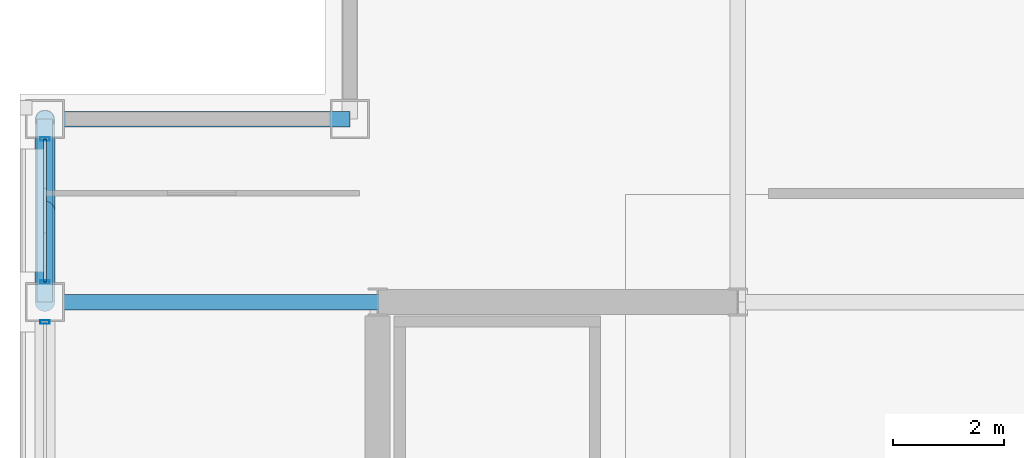
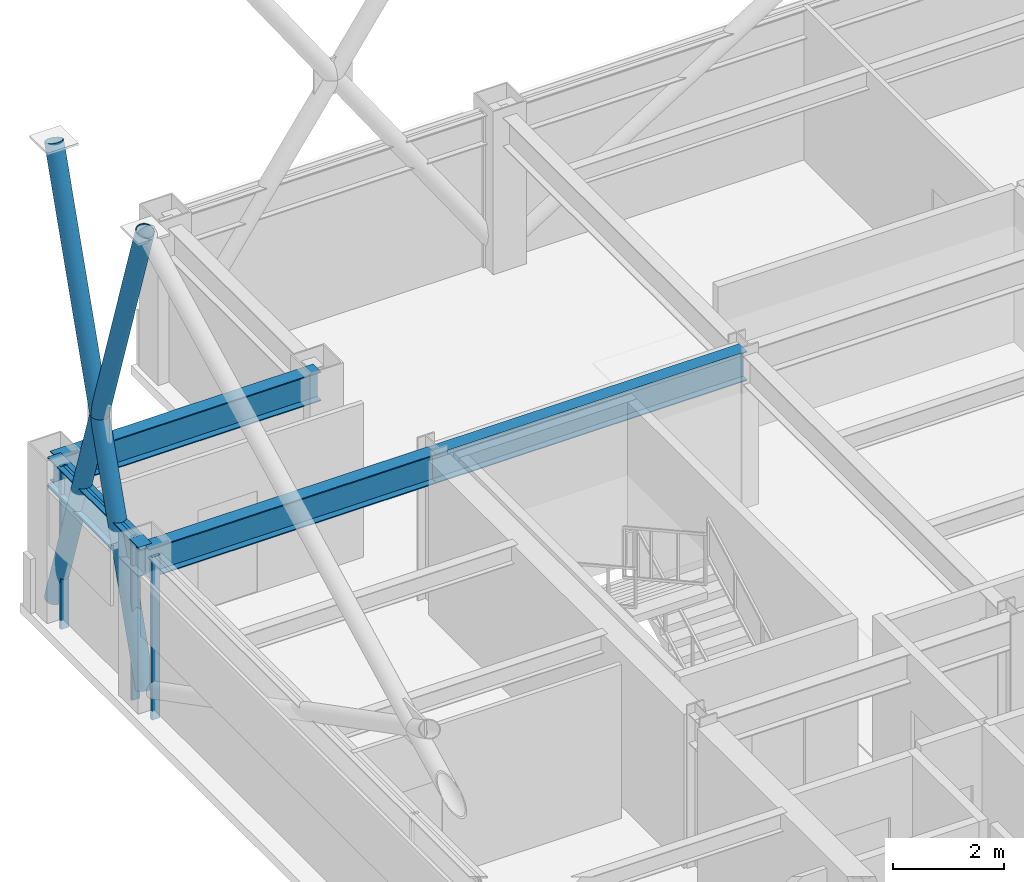
# One storey, part 12 of 33: 7 members, 4 beams, 2 elements without a shape of their own.
"""IFC4 building model written with IfcOpenShell, lengths in metres."""

from ifc_helpers import new_model, si_unit, direction, frame, origin, origin_2d, place, context, subcontext, project, spatial, hollow_rectangle, hollow_circle, i_section, extrude, material, layer, layer_set, material_profile, profile_set, type_object, element, aggregate, save


model = new_model("IFC4")

# Units and contexts
model_context = context("Model", 3, precision=1e-05, world=origin(), true_north=direction((0.0, 1.0)))
body_context = subcontext(model_context, "Body", "Model", "MODEL_VIEW")
ifc_project = project(units=[si_unit("LENGTHUNIT", "METRE"), si_unit("AREAUNIT", "SQUARE_METRE"), si_unit("VOLUMEUNIT", "CUBIC_METRE"), si_unit("PLANEANGLEUNIT", "RADIAN"), si_unit("MASSUNIT", "GRAM", prefix="KILO")], contexts=[model_context])

# Site, building, storey
site_placement = place(None, origin())
site = spatial("IfcSite", under=ifc_project, at=site_placement, CompositionType="ELEMENT")
building_placement = place(site_placement, origin())
building = spatial("IfcBuilding", under=site, at=building_placement, Name="Brelmoor Portico Tower", CompositionType="ELEMENT")
storey_placement = place(building_placement, frame((0.0, 0.0, 183.89990234375)))
storey = spatial("IfcBuildingStorey", under=building, at=storey_placement, Name="L48", CompositionType="ELEMENT", Elevation=183.89990234375)

# Beams
ifc_material_1 = material(Name="Steel Q355B", Category="steel")
ifc_material_profile_1 = material_profile(ifc_material_1, i_section(OverallWidth=0.280029296875, OverallDepth=0.64990234375, WebThickness=0.012939453125, FlangeThickness=0.02197265625, at=origin_2d()), Name="HN 650x280x13x22")
ifc_profile_set_1 = profile_set([ifc_material_profile_1], Name="Steel Q355B")
beam_type_1 = type_object("IfcBeamType", Name="BM-PG-650", PredefinedType="BEAM", material=ifc_profile_set_1)
beam_1_placement = place(storey_placement, frame((-20.550048828125, 9.75, 3.0751953125), z_axis=(1.0, 0.0, 0.0), x_axis=(0.0, 1.0, 0.0)))
element("IfcBeam", 1, at=beam_1_placement, inside=storey, type_object=beam_type_1, Name="L48 Primary Floor Girder PG-19", PredefinedType="BEAM", context=body_context, shape_type="SweptSolid", body=[
    extrude(i_section(OverallWidth=0.280029296875, OverallDepth=0.64990234375, WebThickness=0.012939453125, FlangeThickness=0.02197265625, at=origin_2d()), origin(), (0.0, 0.0, 1.0), 6.0),
])
beam_2_placement = place(storey_placement, frame((-14.550048828125, 9.75, 3.0751953125), z_axis=(1.0, 0.0, 0.0), x_axis=(0.0, 1.0, 0.0)))
element("IfcBeam", 2, at=beam_2_placement, inside=storey, type_object=beam_type_1, Name="L48 Primary Floor Girder PG-20", PredefinedType="BEAM", context=body_context, shape_type="SweptSolid", body=[
    extrude(i_section(OverallWidth=0.280029296875, OverallDepth=0.64990234375, WebThickness=0.012939453125, FlangeThickness=0.02197265625, at=origin_2d()), origin(), (0.0, 0.0, 1.0), 6.5),
])
ifc_material_profile_2 = material_profile(ifc_material_1, i_section(OverallWidth=0.280029296875, OverallDepth=0.64990234375, WebThickness=0.012939453125, FlangeThickness=0.02197265625, at=origin_2d()), Name="HN 650x280x13x22")
ifc_profile_set_2 = profile_set([ifc_material_profile_2], Name="Steel Q355B")
beam_type_2 = type_object("IfcBeamType", Name="BM-SP-650", PredefinedType="SPANDREL", material=ifc_profile_set_2)
beam_3_placement = place(storey_placement, frame((-20.550048828125, 13.050048828125, 3.0751953125), z_axis=(1.0, 0.0, 0.0), x_axis=(0.0, 1.0, 0.0)))
element("IfcBeam", 3, at=beam_3_placement, inside=storey, type_object=beam_type_2, Name="L48 Perimeter Spandrel Beam SP-06", PredefinedType="SPANDREL", context=body_context, shape_type="SweptSolid", body=[
    extrude(i_section(OverallWidth=0.280029296875, OverallDepth=0.64990234375, WebThickness=0.012939453125, FlangeThickness=0.02197265625, at=origin_2d()), origin(), (0.0, 0.0, 1.0), 5.5),
])
beam_4_placement = place(storey_placement, frame((-20.550048828125, 9.75, 3.0751953125), z_axis=(0.0, 1.0, 0.0), x_axis=(-1.0, 0.0, 0.0)))
element("IfcBeam", 4, at=beam_4_placement, inside=storey, type_object=beam_type_2, Name="L48 Perimeter Spandrel Beam SP-13", PredefinedType="SPANDREL", context=body_context, shape_type="SweptSolid", body=[
    extrude(i_section(OverallWidth=0.280029296875, OverallDepth=0.64990234375, WebThickness=0.012939453125, FlangeThickness=0.02197265625, at=origin_2d()), origin(), (0.0, 0.0, 1.0), 3.300048828125),
])

# Members
ifc_material_profile_3 = material_profile(ifc_material_1, hollow_circle(Radius=0.177978515625, WallThickness=0.01611328125, at=origin_2d()), Name="CHS 356x16")
ifc_profile_set_3 = profile_set([ifc_material_profile_3], Name="Steel Q355B")
member_type_1 = type_object("IfcMemberType", Name="MB-BELT-DIAG2", PredefinedType="BRACE", material=ifc_profile_set_3)
member_1_placement = place(storey_placement, frame((-20.550048828125, 9.75, 0.25), z_axis=(0.0, 0.310576778545, 0.950548296842), x_axis=(-1.0, 0.0, 0.0)))
element("IfcMember", 5, at=member_1_placement, inside=storey, type_object=member_type_1, Name="L48 Continuous Mega-X Brace 113A", PredefinedType="BRACE", context=body_context, shape_type="SweptSolid", body=[
    extrude(hollow_circle(Radius=0.177978515625, WallThickness=0.01611328125, at=origin_2d()), origin(), (0.0, 0.0, 1.0), 10.62548828125),
])
for number, where, z_axis, x_axis, name in (
    (6, (-20.550048828125, 13.050048828125, 0.25), (0.0, -0.310597538786, 0.950541513507), (1.0, 0.0, 0.0), "L48 Split Mega-X Brace 113B1"),
    (7, (-20.550048828125, 11.39990234375, 5.300048828125), (0.0, -0.310556017859, 0.95055507982), (1.0, 0.0, 0.0), "L48 Split Mega-X Brace 113B2"),
):
    element("IfcMember", number, at=place(storey_placement, frame(where, z_axis=z_axis, x_axis=x_axis)), inside=storey, type_object=member_type_1, Name=name, PredefinedType="BRACE", context=body_context, shape_type="SweptSolid", body=[
        extrude(hollow_circle(Radius=0.177978515625, WallThickness=0.01611328125, at=origin_2d()), origin(), (0.0, 0.0, 1.0), 5.312744140625),
    ])

# Curtain wall, member
ifc_material_2 = material(Name="Anodised Aluminium Alloy 6063-T6", Category="aluminium")
ifc_layer = layer(ifc_material_2, 0.179931640625)
ifc_layer_set = layer_set([ifc_layer], Name="Anodised Aluminium Alloy 6063-T6")
curtain_wall_type = type_object("IfcCurtainWallType", Name="CW-TOWER-Z3-XB", PredefinedType="NOTDEFINED", material=ifc_layer_set)
curtain_wall_1_placement = place(storey_placement, origin())
curtain_wall_1 = element("IfcCurtainWall", 8, at=curtain_wall_1_placement, inside=storey, type_object=curtain_wall_type, Name="L48 Curtain Wall CW-L48-03-2", PredefinedType="NOTDEFINED")
ifc_material_profile_4 = material_profile(ifc_material_2, hollow_rectangle(XDim=0.06494140625, YDim=0.1650390625, WallThickness=0.00390625, at=origin_2d()), Name="ALU MULLION 65x165")
ifc_profile_set_4 = profile_set([ifc_material_profile_4], Name="Anodised Aluminium Alloy 6063-T6")
member_type_2 = type_object("IfcMemberType", Name="MB-CW-MULL-165", PredefinedType="MULLION", material=ifc_profile_set_4)
member_2_placement = place(storey_placement, frame((-20.550048828125, 9.389892578125, -0.199951171875), z_axis=(0.0, 0.0, 1.0), x_axis=(0.0, 1.0, 0.0)))
member_2 = element("IfcMember", 9, at=member_2_placement, type_object=member_type_2, Name="CW-L48-03-2 Mullion 02", PredefinedType="MULLION", context=body_context, shape_type="SweptSolid", body=[
    extrude(hollow_rectangle(XDim=0.06494140625, YDim=0.1650390625, WallThickness=0.00390625, at=origin_2d()), origin(), (0.0, 0.0, 1.0), 3.60009765625),
])
aggregate(curtain_wall_1, [member_2])

# Curtain wall, members
curtain_wall_2_placement = place(storey_placement, origin())
curtain_wall_2 = element("IfcCurtainWall", 10, at=curtain_wall_2_placement, inside=storey, type_object=curtain_wall_type, Name="L48 Curtain Wall CW-L48-03-3", PredefinedType="NOTDEFINED")
member_3_placement = place(storey_placement, frame((-20.550048828125, 10.110107421875, -0.199951171875), z_axis=(0.0, 0.0, 1.0), x_axis=(0.0, 1.0, 0.0)))
member_3 = element("IfcMember", 11, at=member_3_placement, type_object=member_type_2, Name="CW-L48-03-3 Mullion 00", PredefinedType="MULLION", context=body_context, shape_type="SweptSolid", body=[
    extrude(hollow_rectangle(XDim=0.06494140625, YDim=0.1650390625, WallThickness=0.00390625, at=origin_2d()), origin(), (0.0, 0.0, 1.0), 3.60009765625),
])
member_4_placement = place(storey_placement, frame((-20.550048828125, 12.68994140625, -0.199951171875), z_axis=(0.0, 0.0, 1.0), x_axis=(0.0, 1.0, 0.0)))
member_4 = element("IfcMember", 12, at=member_4_placement, type_object=member_type_2, Name="CW-L48-03-3 Mullion 01", PredefinedType="MULLION", context=body_context, shape_type="SweptSolid", body=[
    extrude(hollow_rectangle(XDim=0.06494140625, YDim=0.1650390625, WallThickness=0.00390625, at=origin_2d()), origin(), (0.0, 0.0, 1.0), 3.60009765625),
])
ifc_material_profile_5 = material_profile(ifc_material_2, hollow_rectangle(XDim=0.06005859375, YDim=0.125, WallThickness=0.00341796875, at=origin_2d()), Name="ALU TRANSOM 60x125")
ifc_profile_set_5 = profile_set([ifc_material_profile_5], Name="Anodised Aluminium Alloy 6063-T6")
member_type_3 = type_object("IfcMemberType", Name="MB-CW-TRAN-125", PredefinedType="USERDEFINED", material=ifc_profile_set_5)
member_5_placement = place(storey_placement, frame((-20.550048828125, 10.110107421875, 3.337646484375), z_axis=(0.0, 1.0, 0.0), x_axis=(-1.0, 0.0, 0.0)))
member_5 = element("IfcMember", 13, at=member_5_placement, type_object=member_type_3, Name="CW-L48-03-3 Transom 1-00", ObjectType="TRANSOM", PredefinedType="USERDEFINED", context=body_context, shape_type="SweptSolid", body=[
    extrude(hollow_rectangle(XDim=0.06005859375, YDim=0.125, WallThickness=0.00341796875, at=origin_2d()), origin(), (0.0, 0.0, 1.0), 2.579833984375),
])
aggregate(curtain_wall_2, [member_3, member_4, member_5])

save(model, "model.ifc")
